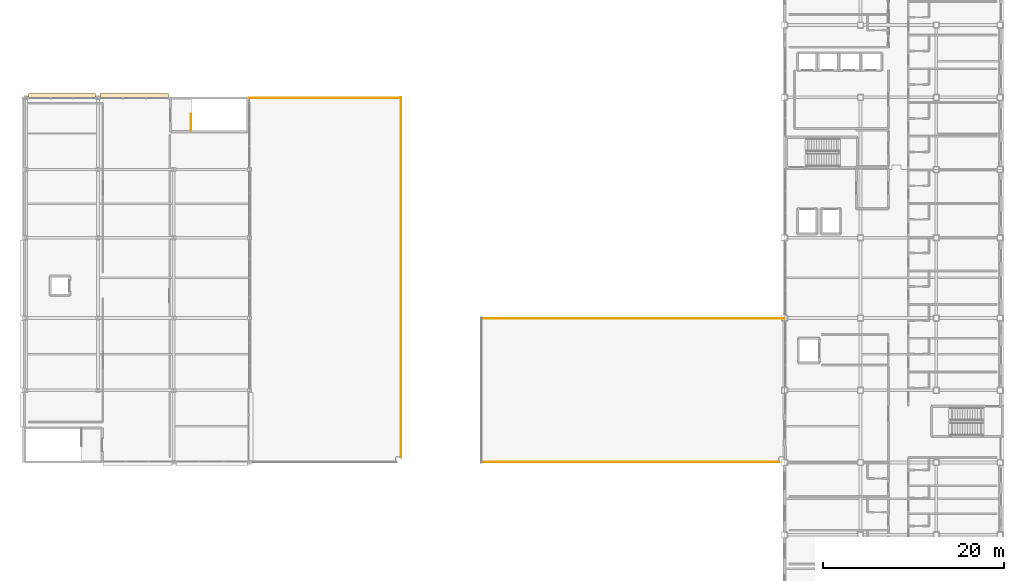
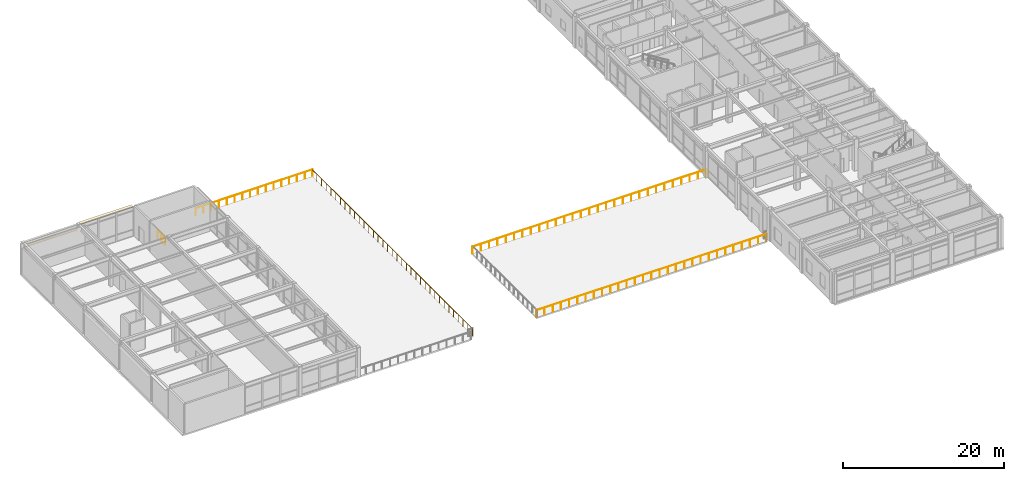
# One storey, part 59 of 61: 5 railings, 2 coverings.
"""IFC4 building model written with IfcOpenShell, lengths in metres."""

import ifcopenshell
import ifcopenshell.guid

model = None  # the IFC model being written
_history = None  # IfcOwnerHistory: only IFC2X3 demands one
_inside = {}  # id of a spatial element -> (the spatial element, [elements in it])
_under = {}  # id of a project, library or spatial element -> (it, [spatial elements below it])
_declared = {}  # id of a project -> (the project, [libraries it declares])
_typed = {}  # id of a type object -> (the type object, [elements of that type])
_made_of = {}  # id of a material, layer set ... -> (it, [elements and type objects made of it])


def new_model(schema):
    """Start an empty IFC model of exactly this schema.

    Asked for "IFC4X3", IfcOpenShell would pick the latest addendum, in which some entities
    have other attributes; the version numbers below select the first issue.
    IFC2X3 requires an IfcOwnerHistory on every rooted entity: one is made here for all.
    """
    global model, _history
    if schema == "IFC4X3":
        model = ifcopenshell.file(schema_version=(4, 3, 0, 0))
    else:
        model = ifcopenshell.file(schema=schema)
    _inside.clear()
    _under.clear()
    _declared.clear()
    _typed.clear()
    _made_of.clear()
    _history = None
    if model.schema == "IFC2X3":
        org = make("IfcOrganization", Name="unknown")
        user = make(
            "IfcPersonAndOrganization",
            ThePerson=make("IfcPerson", FamilyName="unknown"),
            TheOrganization=org,
        )
        app = make(
            "IfcApplication",
            ApplicationDeveloper=org,
            Version="unknown",
            ApplicationFullName="unknown",
            ApplicationIdentifier="unknown",
        )
        _history = make(
            "IfcOwnerHistory",
            OwningUser=user,
            OwningApplication=app,
            ChangeAction="ADDED",
            CreationDate=0,
        )
    return model


def make(cls, **values):
    """One entity of the class cls with the attributes given. An attribute that is None is left unset."""
    return model.create_entity(
        cls, **{name: value for name, value in values.items() if value is not None}
    )


def rooted(cls, **values):
    """An entity with a GlobalId (a new one), such as an element, a storey or a relation."""
    return make(cls, GlobalId=ifcopenshell.guid.new(), OwnerHistory=_history, **values)


def si_unit(unit_type, name, prefix=None):
    """IfcSIUnit, for example si_unit("LENGTHUNIT", "METRE", prefix="MILLI")."""
    return make("IfcSIUnit", UnitType=unit_type, Prefix=prefix, Name=name)


def assignment(units):
    """IfcUnitAssignment: the units of a project."""
    return None if units is None else make("IfcUnitAssignment", Units=units)


def point(xyz):
    """IfcCartesianPoint."""
    return None if xyz is None else make("IfcCartesianPoint", Coordinates=xyz)


def direction(xyz):
    """IfcDirection."""
    return None if xyz is None else make("IfcDirection", DirectionRatios=xyz)


def frame(location, z_axis=None, x_axis=None):
    """IfcAxis2Placement3D, a coordinate frame: its origin and axes. An axis left out is left unset."""
    return make(
        "IfcAxis2Placement3D",
        Location=point(location),
        Axis=direction(z_axis),
        RefDirection=direction(x_axis),
    )


def frame_2d(location, x_axis=None):
    """IfcAxis2Placement2D, a coordinate frame in the plane: its origin and x axis."""
    return make(
        "IfcAxis2Placement2D", Location=point(location), RefDirection=direction(x_axis)
    )


def origin():
    """The frame at (0, 0, 0) with its axes left unset."""
    return frame((0.0, 0.0, 0.0))


def origin_2d():
    """The frame at (0, 0) in the plane with its x axis left unset."""
    return frame_2d((0.0, 0.0))


def place(relative_to, where):
    """IfcLocalPlacement: puts the frame where relative to a parent placement (None: the world)."""
    return make(
        "IfcLocalPlacement", PlacementRelTo=relative_to, RelativePlacement=where
    )


def context(
    kind, dimensions, precision=None, world=None, true_north=None, identifier=None
):
    """IfcGeometricRepresentationContext, for example the 3D "Model" context."""
    return make(
        "IfcGeometricRepresentationContext",
        ContextIdentifier=identifier,
        ContextType=kind,
        CoordinateSpaceDimension=dimensions,
        Precision=precision,
        WorldCoordinateSystem=world,
        TrueNorth=true_north,
    )


def subcontext(parent, identifier, kind, view, scale=None):
    """IfcGeometricRepresentationSubContext, for example "Body" below "Model"."""
    return make(
        "IfcGeometricRepresentationSubContext",
        ContextIdentifier=identifier,
        ContextType=kind,
        ParentContext=parent,
        TargetScale=scale,
        TargetView=view,
    )


def project(units=None, contexts=None):
    """IfcProject with its units and contexts."""
    return rooted(
        "IfcProject",
        Name="project",
        RepresentationContexts=contexts,
        UnitsInContext=assignment(units),
    )


def spatial(cls, under=None, at=None, **own):
    """A site, building, storey or space (cls), placed at a placement, below another one or the project."""
    s = rooted(cls, ObjectPlacement=at, **own)
    if under is not None:
        _under.setdefault(under.id(), (under, []))[1].append(s)
    return s


def profile(cls, at=None, kind="AREA", **sizes):
    """A parametric profile (cls). Its sizes go by their IFC names, for example OverallWidth=200.0."""
    return make(cls, ProfileType=kind, Position=at, **sizes)


def rectangle(**sizes):
    """IfcRectangleProfileDef."""
    return profile("IfcRectangleProfileDef", **sizes)


def circle(**sizes):
    """IfcCircleProfileDef."""
    return profile("IfcCircleProfileDef", **sizes)


def extrude(swept, where, along, depth):
    """IfcExtrudedAreaSolid: the profile swept, set in the frame where, extruded along a direction by depth."""
    return make(
        "IfcExtrudedAreaSolid",
        SweptArea=swept,
        Position=where,
        ExtrudedDirection=direction(along),
        Depth=depth,
    )


def shape(context_of_items, identifier, shape_type, items):
    """IfcShapeRepresentation: the items that make up one representation, for example the "Body"."""
    return make(
        "IfcShapeRepresentation",
        ContextOfItems=context_of_items,
        RepresentationIdentifier=identifier,
        RepresentationType=shape_type,
        Items=items,
    )


def material(Name=None, Category=None):
    """IfcMaterial."""
    return make("IfcMaterial", Name=Name, Category=Category)


def layer(
    of_material, thickness, ventilated=None, Name=None, Category=None, Priority=None
):
    """IfcMaterialLayer: one layer of a wall or slab, of a material (None: an air gap)."""
    return make(
        "IfcMaterialLayer",
        Material=of_material,
        LayerThickness=thickness,
        IsVentilated=ventilated,
        Name=Name,
        Category=Category,
        Priority=Priority,
    )


def layer_set(layers, Name=None):
    """IfcMaterialLayerSet."""
    return make("IfcMaterialLayerSet", MaterialLayers=layers, LayerSetName=Name)


def made_of(thing, what):
    """Note that an element or type object is made of a material, layer set ...; save() writes the relation."""
    if what is not None:
        _made_of.setdefault(what.id(), (what, []))[1].append(thing)
    return thing


def type_object(cls, material=None, **own):
    """A type object (cls), such as IfcWallType, which elements share."""
    return made_of(rooted(cls, **own), material)


def element(
    cls,
    number,
    at=None,
    inside=None,
    cuts=None,
    type_object=None,
    material=None,
    context=None,
    identifier="Body",
    shape_type=None,
    held_by="IfcProductDefinitionShape",
    body=None,
    shapes=None,
    **own,
):
    """One element of the class cls, such as IfcWall. Its Tag is "e" and its number.

    at: its placement. inside: the storey or other place that contains it. cuts: it is an
    opening in that element (IfcRelVoidsElement). A single representation is given by context,
    identifier, shape_type and body (its items); several are given by shapes. held_by: the class
    of the entity that holds the representations. save() writes the other relations.
    """
    e = rooted(cls, Tag="e%d" % number, ObjectPlacement=at, **own)
    if body is not None:
        shapes = [shape(context, identifier, shape_type, body)]
    if shapes is not None:
        e.Representation = make(held_by, Representations=shapes)
    if inside is not None:
        _inside.setdefault(inside.id(), (inside, []))[1].append(e)
    if cuts is not None:
        rooted(
            "IfcRelVoidsElement", RelatingBuildingElement=cuts, RelatedOpeningElement=e
        )
    if type_object is not None:
        _typed.setdefault(type_object.id(), (type_object, []))[1].append(e)
    return made_of(e, material)


def aggregate(whole, parts):
    """IfcRelAggregates: a whole, such as a stair, and the parts it consists of."""
    return rooted("IfcRelAggregates", RelatingObject=whole, RelatedObjects=parts)


def save(model, path):
    """Write the relations noted so far, then the file.

    IfcRelAggregates (storeys below a building ...), IfcRelContainedInSpatialStructure (elements
    in a storey), IfcRelDefinesByType, IfcRelAssociatesMaterial and IfcRelDeclares: one each for
    every whole, place, type object, material and project.
    """
    for whole, parts in _under.values():
        aggregate(whole, parts)
    for where, things in _inside.values():
        rooted(
            "IfcRelContainedInSpatialStructure",
            RelatedElements=things,
            RelatingStructure=where,
        )
    for kind, things in _typed.values():
        rooted("IfcRelDefinesByType", RelatedObjects=things, RelatingType=kind)
    for what, things in _made_of.values():
        rooted("IfcRelAssociatesMaterial", RelatedObjects=things, RelatingMaterial=what)
    for by, libraries in _declared.values():
        rooted("IfcRelDeclares", RelatingContext=by, RelatedDefinitions=libraries)
    model.write(path)


model = new_model("IFC4")

# Units and contexts
model_context = context("Model", 3, precision=1e-05, world=origin(), true_north=direction((0.0, 1.0)))
body_context = subcontext(model_context, "Body", "Model", "MODEL_VIEW")
ifc_project = project(units=[si_unit("LENGTHUNIT", "METRE"), si_unit("AREAUNIT", "SQUARE_METRE"), si_unit("VOLUMEUNIT", "CUBIC_METRE"), si_unit("PLANEANGLEUNIT", "RADIAN"), si_unit("MASSUNIT", "GRAM", prefix="KILO")], contexts=[model_context])

# Site, building, storey
site_placement = place(None, origin())
site = spatial("IfcSite", under=ifc_project, at=site_placement, CompositionType="ELEMENT")
building_placement = place(site_placement, origin())
building = spatial("IfcBuilding", under=site, at=building_placement, Name="Kazehara Bluff Congress Hotel", CompositionType="ELEMENT")
storey_placement = place(building_placement, frame((0.0, 0.0, 19.800048828125)))
storey = spatial("IfcBuildingStorey", under=building, at=storey_placement, Name="L04", CompositionType="ELEMENT", Elevation=19.800048828125)

# Coverings
ifc_material_1 = material(Name="Anodised aluminium architectural brise-soleil", Category="aluminium")
ifc_layer = layer(ifc_material_1, 0.10009765625)
ifc_layer_set = layer_set([ifc_layer], Name="Anodised aluminium architectural brise-soleil")
covering_type = type_object("IfcCoveringType", Name="TP-FAC-FIN", PredefinedType="CLADDING", material=ifc_layer_set)
covering_1_placement = place(storey_placement, frame((63.675048828125, 56.590087890625, 3.73486328125), z_axis=(0.0, 0.0, 1.0), x_axis=(1.0, 0.0, 0.0)))
element("IfcCovering", 1, at=covering_1_placement, inside=storey, type_object=covering_type, Name="L04 V4 architectural sun-hood 176", PredefinedType="CLADDING", context=body_context, shape_type="SweptSolid", body=[
    extrude(rectangle(XDim=7.449951171875, YDim=0.52001953125, at=origin_2d()), origin(), (0.0, 0.0, 1.0), 0.10009765625),
])
covering_2_placement = place(storey_placement, frame((71.695068359375, 56.590087890625, 4.39501953125), z_axis=(0.0, 0.0, 1.0), x_axis=(1.0, 0.0, 0.0)))
element("IfcCovering", 2, at=covering_2_placement, inside=storey, type_object=covering_type, Name="L04 V4 architectural sun-hood 177", PredefinedType="CLADDING", context=body_context, shape_type="SweptSolid", body=[
    extrude(rectangle(XDim=7.590087890625, YDim=0.52001953125, at=origin_2d()), origin(), (0.0, 0.0, 1.0), 0.10009765625),
])

# Railings
ifc_material_2 = material(Name="Painted galvanised steel", Category="steel")
railing_type_1 = type_object("IfcRailingType", Name="TP-GRD-EXT", PredefinedType="BALUSTRADE", material=ifc_material_2)
railing_1_placement = place(storey_placement, frame((101.199951171875, 16.550048828125, 0.0)))
element("IfcRailing", 3, at=railing_1_placement, inside=storey, type_object=railing_type_1, Name="Delegate Bluff Roof Terrace edge guard 4", PredefinedType="BALUSTRADE", context=body_context, shape_type="SweptSolid", body=[
    extrude(circle(Radius=0.02392578125, at=origin_2d()), frame((0.0, 0.0, 1.076171875), z_axis=(0.0, 1.0, 0.0), x_axis=(-1.0, 0.0, 0.0)), (0.0, 0.0, 1.0), 39.89990234375),
    extrude(circle(Radius=0.02099609375, at=origin_2d()), origin(), (0.0, 0.0, 1.0), 1.052001953125),
    extrude(circle(Radius=0.02099609375, at=origin_2d()), frame((0.0, 1.173583984375, 0.0)), (0.0, 0.0, 1.0), 1.052001953125),
    extrude(circle(Radius=0.02099609375, at=origin_2d()), frame((0.0, 2.34716796875, 0.0)), (0.0, 0.0, 1.0), 1.052001953125),
    extrude(circle(Radius=0.02099609375, at=origin_2d()), frame((0.0, 3.5205078125, 0.0)), (0.0, 0.0, 1.0), 1.052001953125),
    extrude(circle(Radius=0.02099609375, at=origin_2d()), frame((0.0, 4.694091796875, 0.0)), (0.0, 0.0, 1.0), 1.052001953125),
    extrude(circle(Radius=0.02099609375, at=origin_2d()), frame((0.0, 5.86767578125, 0.0)), (0.0, 0.0, 1.0), 1.052001953125),
    extrude(circle(Radius=0.02099609375, at=origin_2d()), frame((0.0, 7.041259765625, 0.0)), (0.0, 0.0, 1.0), 1.052001953125),
    extrude(circle(Radius=0.02099609375, at=origin_2d()), frame((0.0, 8.214599609375, 0.0)), (0.0, 0.0, 1.0), 1.052001953125),
    extrude(circle(Radius=0.02099609375, at=origin_2d()), frame((0.0, 9.38818359375, 0.0)), (0.0, 0.0, 1.0), 1.052001953125),
    extrude(circle(Radius=0.02099609375, at=origin_2d()), frame((0.0, 10.561767578125, 0.0)), (0.0, 0.0, 1.0), 1.052001953125),
    extrude(circle(Radius=0.02099609375, at=origin_2d()), frame((0.0, 11.7353515625, 0.0)), (0.0, 0.0, 1.0), 1.052001953125),
    extrude(circle(Radius=0.02099609375, at=origin_2d()), frame((0.0, 12.90869140625, 0.0)), (0.0, 0.0, 1.0), 1.052001953125),
    extrude(circle(Radius=0.02099609375, at=origin_2d()), frame((0.0, 14.082275390625, 0.0)), (0.0, 0.0, 1.0), 1.052001953125),
    extrude(circle(Radius=0.02099609375, at=origin_2d()), frame((0.0, 15.255859375, 0.0)), (0.0, 0.0, 1.0), 1.052001953125),
    extrude(circle(Radius=0.02099609375, at=origin_2d()), frame((0.0, 16.429443359375, 0.0)), (0.0, 0.0, 1.0), 1.052001953125),
    extrude(circle(Radius=0.02099609375, at=origin_2d()), frame((0.0, 17.602783203125, 0.0)), (0.0, 0.0, 1.0), 1.052001953125),
    extrude(circle(Radius=0.02099609375, at=origin_2d()), frame((0.0, 18.7763671875, 0.0)), (0.0, 0.0, 1.0), 1.052001953125),
    extrude(circle(Radius=0.02099609375, at=origin_2d()), frame((0.0, 19.949951171875, 0.0)), (0.0, 0.0, 1.0), 1.052001953125),
    extrude(circle(Radius=0.02099609375, at=origin_2d()), frame((0.0, 21.12353515625, 0.0)), (0.0, 0.0, 1.0), 1.052001953125),
    extrude(circle(Radius=0.02099609375, at=origin_2d()), frame((0.0, 22.297119140625, 0.0)), (0.0, 0.0, 1.0), 1.052001953125),
    extrude(circle(Radius=0.02099609375, at=origin_2d()), frame((0.0, 23.470458984375, 0.0)), (0.0, 0.0, 1.0), 1.052001953125),
    extrude(circle(Radius=0.02099609375, at=origin_2d()), frame((0.0, 24.64404296875, 0.0)), (0.0, 0.0, 1.0), 1.052001953125),
    extrude(circle(Radius=0.02099609375, at=origin_2d()), frame((0.0, 25.817626953125, 0.0)), (0.0, 0.0, 1.0), 1.052001953125),
    extrude(circle(Radius=0.02099609375, at=origin_2d()), frame((0.0, 26.9912109375, 0.0)), (0.0, 0.0, 1.0), 1.052001953125),
    extrude(circle(Radius=0.02099609375, at=origin_2d()), frame((0.0, 28.16455078125, 0.0)), (0.0, 0.0, 1.0), 1.052001953125),
    extrude(circle(Radius=0.02099609375, at=origin_2d()), frame((0.0, 29.338134765625, 0.0)), (0.0, 0.0, 1.0), 1.052001953125),
    extrude(circle(Radius=0.02099609375, at=origin_2d()), frame((0.0, 30.51171875, 0.0)), (0.0, 0.0, 1.0), 1.052001953125),
    extrude(circle(Radius=0.02099609375, at=origin_2d()), frame((0.0, 31.685302734375, 0.0)), (0.0, 0.0, 1.0), 1.052001953125),
    extrude(circle(Radius=0.02099609375, at=origin_2d()), frame((0.0, 32.858642578125, 0.0)), (0.0, 0.0, 1.0), 1.052001953125),
    extrude(circle(Radius=0.02099609375, at=origin_2d()), frame((0.0, 34.0322265625, 0.0)), (0.0, 0.0, 1.0), 1.052001953125),
    extrude(circle(Radius=0.02099609375, at=origin_2d()), frame((0.0, 35.205810546875, 0.0)), (0.0, 0.0, 1.0), 1.052001953125),
    extrude(circle(Radius=0.02099609375, at=origin_2d()), frame((0.0, 36.37939453125, 0.0)), (0.0, 0.0, 1.0), 1.052001953125),
    extrude(circle(Radius=0.02099609375, at=origin_2d()), frame((0.0, 37.552734375, 0.0)), (0.0, 0.0, 1.0), 1.052001953125),
    extrude(circle(Radius=0.02099609375, at=origin_2d()), frame((0.0, 38.726318359375, 0.0)), (0.0, 0.0, 1.0), 1.052001953125),
    extrude(circle(Radius=0.02099609375, at=origin_2d()), frame((0.0, 39.89990234375, 0.0)), (0.0, 0.0, 1.0), 1.052001953125),
])
railing_2_placement = place(storey_placement, frame((101.25, 56.39990234375, 0.0)))
element("IfcRailing", 4, at=railing_2_placement, inside=storey, type_object=railing_type_1, Name="Delegate Bluff Roof Terrace edge guard 5", PredefinedType="BALUSTRADE", context=body_context, shape_type="SweptSolid", body=[
    extrude(circle(Radius=0.02392578125, at=origin_2d()), frame((0.0, 0.0, 1.076171875), z_axis=(-1.0, 0.0, 0.0), x_axis=(0.0, -1.0, 0.0)), (0.0, 0.0, 1.0), 16.800048828125),
    extrude(circle(Radius=0.02099609375, at=origin_2d()), origin(), (0.0, 0.0, 1.0), 1.052001953125),
    extrude(circle(Radius=0.02099609375, at=origin_2d()), frame((-1.1201171875, 0.0, 0.0)), (0.0, 0.0, 1.0), 1.052001953125),
    extrude(circle(Radius=0.02099609375, at=origin_2d()), frame((-2.239990234375, 0.0, 0.0)), (0.0, 0.0, 1.0), 1.052001953125),
    extrude(circle(Radius=0.02099609375, at=origin_2d()), frame((-3.360107421875, 0.0, 0.0)), (0.0, 0.0, 1.0), 1.052001953125),
    extrude(circle(Radius=0.02099609375, at=origin_2d()), frame((-4.47998046875, 0.0, 0.0)), (0.0, 0.0, 1.0), 1.052001953125),
    extrude(circle(Radius=0.02099609375, at=origin_2d()), frame((-5.60009765625, 0.0, 0.0)), (0.0, 0.0, 1.0), 1.052001953125),
    extrude(circle(Radius=0.02099609375, at=origin_2d()), frame((-6.719970703125, 0.0, 0.0)), (0.0, 0.0, 1.0), 1.052001953125),
    extrude(circle(Radius=0.02099609375, at=origin_2d()), frame((-7.840087890625, 0.0, 0.0)), (0.0, 0.0, 1.0), 1.052001953125),
    extrude(circle(Radius=0.02099609375, at=origin_2d()), frame((-8.9599609375, 0.0, 0.0)), (0.0, 0.0, 1.0), 1.052001953125),
    extrude(circle(Radius=0.02099609375, at=origin_2d()), frame((-10.080078125, 0.0, 0.0)), (0.0, 0.0, 1.0), 1.052001953125),
    extrude(circle(Radius=0.02099609375, at=origin_2d()), frame((-11.199951171875, 0.0, 0.0)), (0.0, 0.0, 1.0), 1.052001953125),
    extrude(circle(Radius=0.02099609375, at=origin_2d()), frame((-12.320068359375, 0.0, 0.0)), (0.0, 0.0, 1.0), 1.052001953125),
    extrude(circle(Radius=0.02099609375, at=origin_2d()), frame((-13.43994140625, 0.0, 0.0)), (0.0, 0.0, 1.0), 1.052001953125),
    extrude(circle(Radius=0.02099609375, at=origin_2d()), frame((-14.56005859375, 0.0, 0.0)), (0.0, 0.0, 1.0), 1.052001953125),
    extrude(circle(Radius=0.02099609375, at=origin_2d()), frame((-15.679931640625, 0.0, 0.0)), (0.0, 0.0, 1.0), 1.052001953125),
    extrude(circle(Radius=0.02099609375, at=origin_2d()), frame((-16.800048828125, 0.0, 0.0)), (0.0, 0.0, 1.0), 1.052001953125),
])
railing_3_placement = place(storey_placement, frame((143.14990234375, 16.050048828125, 0.0)))
element("IfcRailing", 5, at=railing_3_placement, inside=storey, type_object=railing_type_1, Name="Club Lounge Courtyard Roof Terrace edge guard 3", PredefinedType="BALUSTRADE", context=body_context, shape_type="SweptSolid", body=[
    extrude(circle(Radius=0.02392578125, at=origin_2d()), frame((0.0, 0.0, 1.076171875), z_axis=(-1.0, 0.0, 0.0), x_axis=(0.0, -1.0, 0.0)), (0.0, 0.0, 1.0), 33.0498046875),
    extrude(circle(Radius=0.02099609375, at=origin_2d()), origin(), (0.0, 0.0, 1.0), 1.052001953125),
    extrude(circle(Radius=0.02099609375, at=origin_2d()), frame((-1.180419921875, 0.0, 0.0)), (0.0, 0.0, 1.0), 1.052001953125),
    extrude(circle(Radius=0.02099609375, at=origin_2d()), frame((-2.360595703125, 0.0, 0.0)), (0.0, 0.0, 1.0), 1.052001953125),
    extrude(circle(Radius=0.02099609375, at=origin_2d()), frame((-3.541015625, 0.0, 0.0)), (0.0, 0.0, 1.0), 1.052001953125),
    extrude(circle(Radius=0.02099609375, at=origin_2d()), frame((-4.721435546875, 0.0, 0.0)), (0.0, 0.0, 1.0), 1.052001953125),
    extrude(circle(Radius=0.02099609375, at=origin_2d()), frame((-5.90185546875, 0.0, 0.0)), (0.0, 0.0, 1.0), 1.052001953125),
    extrude(circle(Radius=0.02099609375, at=origin_2d()), frame((-7.08203125, 0.0, 0.0)), (0.0, 0.0, 1.0), 1.052001953125),
    extrude(circle(Radius=0.02099609375, at=origin_2d()), frame((-8.262451171875, 0.0, 0.0)), (0.0, 0.0, 1.0), 1.052001953125),
    extrude(circle(Radius=0.02099609375, at=origin_2d()), frame((-9.44287109375, 0.0, 0.0)), (0.0, 0.0, 1.0), 1.052001953125),
    extrude(circle(Radius=0.02099609375, at=origin_2d()), frame((-10.623046875, 0.0, 0.0)), (0.0, 0.0, 1.0), 1.052001953125),
    extrude(circle(Radius=0.02099609375, at=origin_2d()), frame((-11.803466796875, 0.0, 0.0)), (0.0, 0.0, 1.0), 1.052001953125),
    extrude(circle(Radius=0.02099609375, at=origin_2d()), frame((-12.98388671875, 0.0, 0.0)), (0.0, 0.0, 1.0), 1.052001953125),
    extrude(circle(Radius=0.02099609375, at=origin_2d()), frame((-14.164306640625, 0.0, 0.0)), (0.0, 0.0, 1.0), 1.052001953125),
    extrude(circle(Radius=0.02099609375, at=origin_2d()), frame((-15.344482421875, 0.0, 0.0)), (0.0, 0.0, 1.0), 1.052001953125),
    extrude(circle(Radius=0.02099609375, at=origin_2d()), frame((-16.52490234375, 0.0, 0.0)), (0.0, 0.0, 1.0), 1.052001953125),
    extrude(circle(Radius=0.02099609375, at=origin_2d()), frame((-17.705322265625, 0.0, 0.0)), (0.0, 0.0, 1.0), 1.052001953125),
    extrude(circle(Radius=0.02099609375, at=origin_2d()), frame((-18.885498046875, 0.0, 0.0)), (0.0, 0.0, 1.0), 1.052001953125),
    extrude(circle(Radius=0.02099609375, at=origin_2d()), frame((-20.06591796875, 0.0, 0.0)), (0.0, 0.0, 1.0), 1.052001953125),
    extrude(circle(Radius=0.02099609375, at=origin_2d()), frame((-21.246337890625, 0.0, 0.0)), (0.0, 0.0, 1.0), 1.052001953125),
    extrude(circle(Radius=0.02099609375, at=origin_2d()), frame((-22.4267578125, 0.0, 0.0)), (0.0, 0.0, 1.0), 1.052001953125),
    extrude(circle(Radius=0.02099609375, at=origin_2d()), frame((-23.60693359375, 0.0, 0.0)), (0.0, 0.0, 1.0), 1.052001953125),
    extrude(circle(Radius=0.02099609375, at=origin_2d()), frame((-24.787353515625, 0.0, 0.0)), (0.0, 0.0, 1.0), 1.052001953125),
    extrude(circle(Radius=0.02099609375, at=origin_2d()), frame((-25.9677734375, 0.0, 0.0)), (0.0, 0.0, 1.0), 1.052001953125),
    extrude(circle(Radius=0.02099609375, at=origin_2d()), frame((-27.14794921875, 0.0, 0.0)), (0.0, 0.0, 1.0), 1.052001953125),
    extrude(circle(Radius=0.02099609375, at=origin_2d()), frame((-28.328369140625, 0.0, 0.0)), (0.0, 0.0, 1.0), 1.052001953125),
    extrude(circle(Radius=0.02099609375, at=origin_2d()), frame((-29.5087890625, 0.0, 0.0)), (0.0, 0.0, 1.0), 1.052001953125),
    extrude(circle(Radius=0.02099609375, at=origin_2d()), frame((-30.689208984375, 0.0, 0.0)), (0.0, 0.0, 1.0), 1.052001953125),
    extrude(circle(Radius=0.02099609375, at=origin_2d()), frame((-31.869384765625, 0.0, 0.0)), (0.0, 0.0, 1.0), 1.052001953125),
    extrude(circle(Radius=0.02099609375, at=origin_2d()), frame((-33.0498046875, 0.0, 0.0)), (0.0, 0.0, 1.0), 1.052001953125),
])
railing_4_placement = place(storey_placement, frame((110.10009765625, 31.949951171875, 0.0)))
element("IfcRailing", 6, at=railing_4_placement, inside=storey, type_object=railing_type_1, Name="Club Lounge Courtyard Roof Terrace edge guard 5", PredefinedType="BALUSTRADE", context=body_context, shape_type="SweptSolid", body=[
    extrude(circle(Radius=0.02392578125, at=origin_2d()), frame((0.0, 0.0, 1.076171875), z_axis=(1.0, 0.0, 0.0), x_axis=(0.0, 1.0, 0.0)), (0.0, 0.0, 1.0), 33.599853515625),
    extrude(circle(Radius=0.02099609375, at=origin_2d()), origin(), (0.0, 0.0, 1.0), 1.052001953125),
    extrude(circle(Radius=0.02099609375, at=origin_2d()), frame((1.199951171875, 0.0, 0.0)), (0.0, 0.0, 1.0), 1.052001953125),
    extrude(circle(Radius=0.02099609375, at=origin_2d()), frame((2.39990234375, 0.0, 0.0)), (0.0, 0.0, 1.0), 1.052001953125),
    extrude(circle(Radius=0.02099609375, at=origin_2d()), frame((3.60009765625, 0.0, 0.0)), (0.0, 0.0, 1.0), 1.052001953125),
    extrude(circle(Radius=0.02099609375, at=origin_2d()), frame((4.800048828125, 0.0, 0.0)), (0.0, 0.0, 1.0), 1.052001953125),
    extrude(circle(Radius=0.02099609375, at=origin_2d()), frame((6.0, 0.0, 0.0)), (0.0, 0.0, 1.0), 1.052001953125),
    extrude(circle(Radius=0.02099609375, at=origin_2d()), frame((7.199951171875, 0.0, 0.0)), (0.0, 0.0, 1.0), 1.052001953125),
    extrude(circle(Radius=0.02099609375, at=origin_2d()), frame((8.39990234375, 0.0, 0.0)), (0.0, 0.0, 1.0), 1.052001953125),
    extrude(circle(Radius=0.02099609375, at=origin_2d()), frame((9.599853515625, 0.0, 0.0)), (0.0, 0.0, 1.0), 1.052001953125),
    extrude(circle(Radius=0.02099609375, at=origin_2d()), frame((10.800048828125, 0.0, 0.0)), (0.0, 0.0, 1.0), 1.052001953125),
    extrude(circle(Radius=0.02099609375, at=origin_2d()), frame((12.0, 0.0, 0.0)), (0.0, 0.0, 1.0), 1.052001953125),
    extrude(circle(Radius=0.02099609375, at=origin_2d()), frame((13.199951171875, 0.0, 0.0)), (0.0, 0.0, 1.0), 1.052001953125),
    extrude(circle(Radius=0.02099609375, at=origin_2d()), frame((14.39990234375, 0.0, 0.0)), (0.0, 0.0, 1.0), 1.052001953125),
    extrude(circle(Radius=0.02099609375, at=origin_2d()), frame((15.599853515625, 0.0, 0.0)), (0.0, 0.0, 1.0), 1.052001953125),
    extrude(circle(Radius=0.02099609375, at=origin_2d()), frame((16.7998046875, 0.0, 0.0)), (0.0, 0.0, 1.0), 1.052001953125),
    extrude(circle(Radius=0.02099609375, at=origin_2d()), frame((18.0, 0.0, 0.0)), (0.0, 0.0, 1.0), 1.052001953125),
    extrude(circle(Radius=0.02099609375, at=origin_2d()), frame((19.199951171875, 0.0, 0.0)), (0.0, 0.0, 1.0), 1.052001953125),
    extrude(circle(Radius=0.02099609375, at=origin_2d()), frame((20.39990234375, 0.0, 0.0)), (0.0, 0.0, 1.0), 1.052001953125),
    extrude(circle(Radius=0.02099609375, at=origin_2d()), frame((21.599853515625, 0.0, 0.0)), (0.0, 0.0, 1.0), 1.052001953125),
    extrude(circle(Radius=0.02099609375, at=origin_2d()), frame((22.7998046875, 0.0, 0.0)), (0.0, 0.0, 1.0), 1.052001953125),
    extrude(circle(Radius=0.02099609375, at=origin_2d()), frame((24.0, 0.0, 0.0)), (0.0, 0.0, 1.0), 1.052001953125),
    extrude(circle(Radius=0.02099609375, at=origin_2d()), frame((25.199951171875, 0.0, 0.0)), (0.0, 0.0, 1.0), 1.052001953125),
    extrude(circle(Radius=0.02099609375, at=origin_2d()), frame((26.39990234375, 0.0, 0.0)), (0.0, 0.0, 1.0), 1.052001953125),
    extrude(circle(Radius=0.02099609375, at=origin_2d()), frame((27.599853515625, 0.0, 0.0)), (0.0, 0.0, 1.0), 1.052001953125),
    extrude(circle(Radius=0.02099609375, at=origin_2d()), frame((28.7998046875, 0.0, 0.0)), (0.0, 0.0, 1.0), 1.052001953125),
    extrude(circle(Radius=0.02099609375, at=origin_2d()), frame((29.999755859375, 0.0, 0.0)), (0.0, 0.0, 1.0), 1.052001953125),
    extrude(circle(Radius=0.02099609375, at=origin_2d()), frame((31.199951171875, 0.0, 0.0)), (0.0, 0.0, 1.0), 1.052001953125),
    extrude(circle(Radius=0.02099609375, at=origin_2d()), frame((32.39990234375, 0.0, 0.0)), (0.0, 0.0, 1.0), 1.052001953125),
    extrude(circle(Radius=0.02099609375, at=origin_2d()), frame((33.599853515625, 0.0, 0.0)), (0.0, 0.0, 1.0), 1.052001953125),
])
ifc_material_3 = material(Name="Brushed stainless steel", Category="steel")
railing_type_2 = type_object("IfcRailingType", Name="TP-GRD-INT", PredefinedType="GUARDRAIL", material=ifc_material_3)
railing_5_placement = place(storey_placement, frame((77.949951171875, 52.75, 0.0)))
element("IfcRailing", 7, at=railing_5_placement, inside=storey, type_object=railing_type_2, Name="L04 ST-09 top well guard 1", PredefinedType="GUARDRAIL", context=body_context, shape_type="SweptSolid", body=[
    extrude(circle(Radius=0.02392578125, at=origin_2d()), frame((0.0, 0.0, 1.076171875), z_axis=(0.0, 1.0, 0.0), x_axis=(-1.0, 0.0, 0.0)), (0.0, 0.0, 1.0), 1.85009765625),
    extrude(circle(Radius=0.02099609375, at=origin_2d()), origin(), (0.0, 0.0, 1.0), 1.052001953125),
    extrude(circle(Radius=0.02099609375, at=origin_2d()), frame((0.0, 0.925048828125, 0.0)), (0.0, 0.0, 1.0), 1.052001953125),
    extrude(circle(Radius=0.02099609375, at=origin_2d()), frame((0.0, 1.85009765625, 0.0)), (0.0, 0.0, 1.0), 1.052001953125),
])

save(model, "model.ifc")
